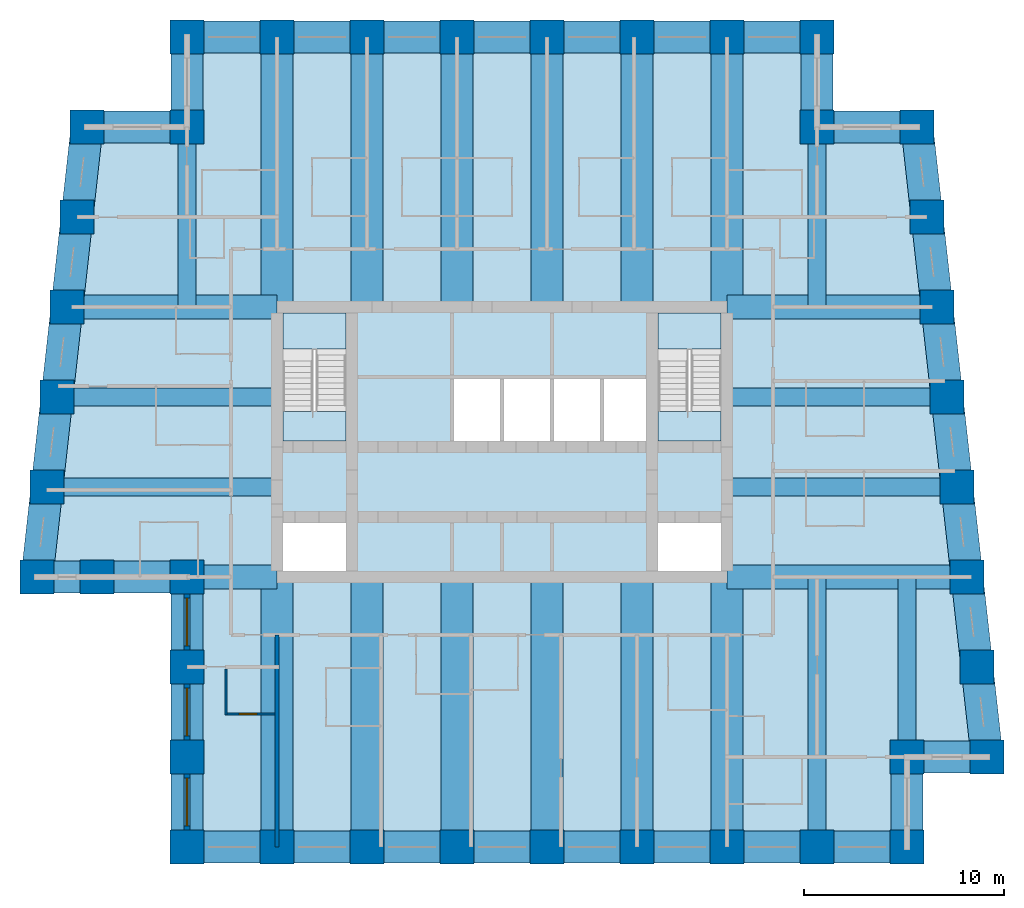
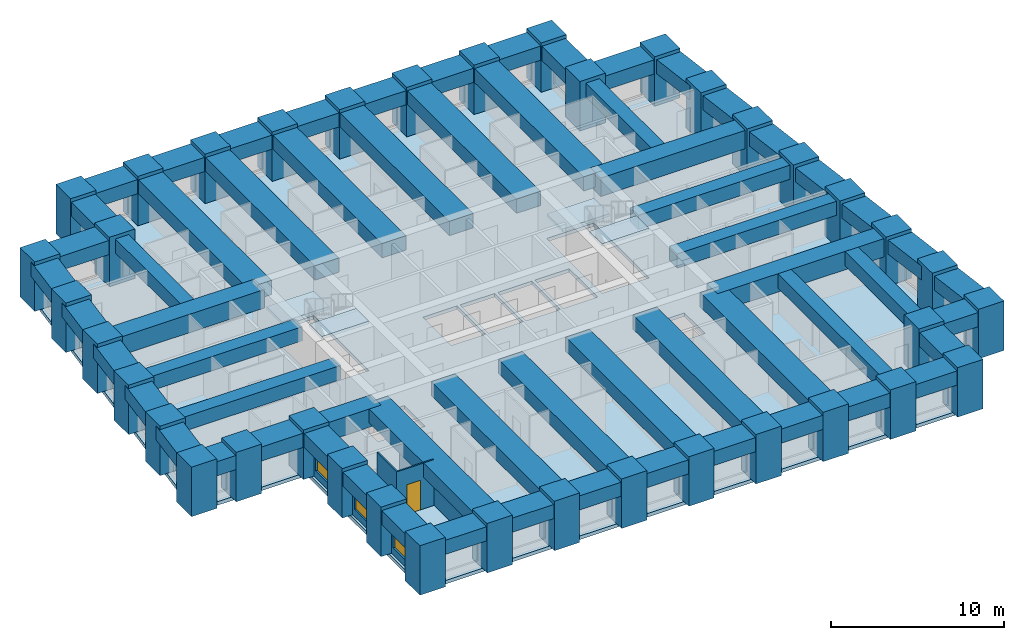
# One storey, part 1 of 8: 62 beams, 38 columns, 5 slabs, 4 walls, 3 windows, 1 door, 4 openings, 2 elements without a shape of their own.
"""IFC4 building model written with IfcOpenShell, lengths in metres."""

from ifc_helpers import new_model, si_unit, direction, frame, frame_2d, origin, origin_2d, place, context, subcontext, project, spatial, polyline, rectangle, outline, extrude, material, layer, layer_set, material_profile, profile_set, type_object, element, fill, aggregate, save


model = new_model("IFC4")

# Units and contexts
model_context = context("Model", 3, precision=1e-05, world=origin(), true_north=direction((0.0, 1.0)))
body_context = subcontext(model_context, "Body", "Model", "MODEL_VIEW")
ifc_project = project(units=[si_unit("LENGTHUNIT", "METRE"), si_unit("AREAUNIT", "SQUARE_METRE"), si_unit("VOLUMEUNIT", "CUBIC_METRE"), si_unit("PLANEANGLEUNIT", "RADIAN"), si_unit("MASSUNIT", "GRAM", prefix="KILO")], contexts=[model_context])

# Site, building, storey
site_placement = place(None, origin())
site = spatial("IfcSite", under=ifc_project, at=site_placement, CompositionType="ELEMENT")
building_placement = place(site_placement, origin())
building = spatial("IfcBuilding", under=site, at=building_placement, Name="Kilele Tower Hotel", CompositionType="ELEMENT")
storey_placement = place(building_placement, frame((0.0, 0.0, 186.89990234375)))
storey = spatial("IfcBuildingStorey", under=building, at=storey_placement, Name="L48", CompositionType="ELEMENT", Elevation=186.89990234375)

# Columns
ifc_material_1 = material(Name="Concrete C60/75", Category="concrete")
ifc_material_profile_1 = material_profile(ifc_material_1, rectangle(XDim=1.699951171875, YDim=1.699951171875, at=origin_2d()))
ifc_profile_set_1 = profile_set([ifc_material_profile_1], Name="Concrete C60/75")
column_type = type_object("IfcColumnType", Name="Tube column RC 1700x1700 C60/75", PredefinedType="COLUMN", material=ifc_profile_set_1)
for number, where, z_axis, x_axis, name in (
    (1, (1.5, 13.5, 0.0), (0.0, 0.0, 1.0), (1.0, 0.0, 0.0), "Column TC4 L48"),
    (2, (4.5, 13.5, 0.0), (0.0, 0.0, 1.0), (1.0, 0.0, 0.0), "Column TC4 L48"),
    (3, (9.0, 13.5, 0.0), (0.0, 0.0, 1.0), (1.0, 0.0, 0.0), "Column TC4 L48"),
    (4, (9.0, 9.0, 0.0), (0.0, 0.0, 1.0), (1.0, 0.0, 0.0), "Column TC4 L48"),
    (5, (9.0, 4.5, 0.0), (0.0, 0.0, 1.0), (1.0, 0.0, 0.0), "Column TC4 L48"),
    (6, (9.0, 0.0, 0.0), (0.0, 0.0, 1.0), (1.0, 0.0, 0.0), "Column TC4 L48"),
    (7, (13.5, 0.0, 0.0), (0.0, 0.0, 1.0), (1.0, 0.0, 0.0), "Column TC4 L48"),
    (8, (18.0, 0.0, 0.0), (0.0, 0.0, 1.0), (1.0, 0.0, 0.0), "Column TC4 L48"),
    (9, (22.5, 0.0, 0.0), (0.0, 0.0, 1.0), (1.0, 0.0, 0.0), "Column TC4 L48"),
    (10, (27.0, 0.0, 0.0), (0.0, 0.0, 1.0), (1.0, 0.0, 0.0), "Column TC4 L48"),
    (11, (31.5, 0.0, 0.0), (0.0, 0.0, 1.0), (1.0, 0.0, 0.0), "Column TC4 L48"),
    (12, (36.0, 0.0, 0.0), (0.0, 0.0, 1.0), (1.0, 0.0, 0.0), "Column TC4 L48"),
    (13, (40.5, 0.0, 0.0), (0.0, 0.0, 1.0), (1.0, 0.0, 0.0), "Column TC4 L48"),
    (14, (45.0, 0.0, 0.0), (0.0, 0.0, 1.0), (1.0, 0.0, 0.0), "Column TC4 L48"),
    (15, (45.0, 4.5, 0.0), (0.0, 0.0, 1.0), (1.0, 0.0, 0.0), "Column TC4 L48"),
    (16, (49.0, 4.5, 0.0), (0.0, 0.0, 1.0), (1.0, 0.0, 0.0), "Column TC4 L48"),
    (17, (48.5, 9.0, 0.0), (0.0, 0.0, 1.0), (1.0, 0.0, 0.0), "Column TC4 L48"),
    (18, (48.0, 13.5, 0.0), (0.0, 0.0, 1.0), (1.0, 0.0, 0.0), "Column TC4 L48"),
    (19, (47.5, 18.0, 0.0), (0.0, 0.0, 1.0), (1.0, 0.0, 0.0), "Column TC4 L48"),
    (20, (47.0, 22.5, 0.0), (0.0, 0.0, 1.0), (1.0, 0.0, 0.0), "Column TC4 L48"),
    (21, (46.5, 27.0, 0.0), (0.0, 0.0, 1.0), (1.0, 0.0, 0.0), "Column TC4 L48"),
    (22, (46.0, 31.5, 0.0), (0.0, 0.0, 1.0), (1.0, 0.0, 0.0), "Column TC4 L48"),
    (23, (45.5, 36.0, 0.0), (0.0, 0.0, 1.0), (1.0, 0.0, 0.0), "Column TC4 L48"),
    (24, (40.5, 36.0, 0.0), (0.0, 0.0, 1.0), (1.0, 0.0, 0.0), "Column TC4 L48"),
    (25, (40.5, 40.5, 0.0), (0.0, 0.0, 1.0), (1.0, 0.0, 0.0), "Column TC4 L48"),
    (26, (36.0, 40.5, 0.0), (0.0, 0.0, 1.0), (1.0, 0.0, 0.0), "Column TC4 L48"),
    (27, (31.5, 40.5, 0.0), (0.0, 0.0, 1.0), (1.0, 0.0, 0.0), "Column TC4 L48"),
    (28, (27.0, 40.5, 0.0), (0.0, 0.0, 1.0), (1.0, 0.0, 0.0), "Column TC4 L48"),
    (29, (22.5, 40.5, 0.0), (0.0, 0.0, 1.0), (1.0, 0.0, 0.0), "Column TC4 L48"),
    (30, (18.0, 40.5, 0.0), (0.0, 0.0, 1.0), (1.0, 0.0, 0.0), "Column TC4 L48"),
    (31, (13.5, 40.5, 0.0), (0.0, 0.0, 1.0), (1.0, 0.0, 0.0), "Column TC4 L48"),
    (32, (9.0, 40.5, 0.0), (0.0, 0.0, 1.0), (1.0, 0.0, 0.0), "Column TC4 L48"),
    (33, (9.0, 36.0, 0.0), (0.0, 0.0, 1.0), (1.0, 0.0, 0.0), "Column TC4 L48"),
    (34, (4.0, 36.0, 0.0), (0.0, 0.0, 1.0), (1.0, 0.0, 0.0), "Column TC4 L48"),
    (35, (3.5, 31.5, 0.0), (0.0, 0.0, 1.0), (1.0, 0.0, 0.0), "Column TC4 L48"),
    (36, (3.0, 27.0, 0.0), (0.0, 0.0, 1.0), (1.0, 0.0, 0.0), "Column TC4 L48"),
    (37, (2.5, 22.5, 0.0), (0.0, 0.0, 1.0), (1.0, 0.0, 0.0), "Column TC4 L48"),
    (38, (2.0, 18.0, 0.0), (0.0, 0.0, 1.0), (1.0, 0.0, 0.0), "Column TC4 L48"),
):
    element("IfcColumn", number, at=place(storey_placement, frame(where, z_axis=z_axis, x_axis=x_axis)), inside=storey, type_object=column_type, Name=name, PredefinedType="COLUMN", context=body_context, shape_type="SweptSolid", body=[
        extrude(rectangle(XDim=1.699951171875, YDim=1.699951171875, at=origin_2d()), origin(), (0.0, 0.0, 1.0), 3.5),
    ])

# Beams
ifc_material_2 = material(Name="Concrete C60/75", Category="concrete")
ifc_material_profile_2 = material_profile(ifc_material_2, rectangle(XDim=1.60009765625, YDim=1.0, at=origin_2d()))
ifc_profile_set_2 = profile_set([ifc_material_profile_2], Name="Concrete C60/75")
beam_type_1 = type_object("IfcBeamType", Name="Beam RC 1600x1000 C60/75", PredefinedType="BEAM", material=ifc_profile_set_2)
for number, where, z_axis, x_axis, name in (
    (39, (13.5, 0.0, 2.75), (0.0, 1.0, 0.0), (-1.0, 0.0, 0.0), "Beam BC1 level L49"),
    (40, (18.0, 0.0, 2.75), (0.0, 1.0, 0.0), (-1.0, 0.0, 0.0), "Beam BC1 level L49"),
    (41, (22.5, 0.0, 2.75), (0.0, 1.0, 0.0), (-1.0, 0.0, 0.0), "Beam BC1 level L49"),
    (42, (27.0, 0.0, 2.75), (0.0, 1.0, 0.0), (-1.0, 0.0, 0.0), "Beam BC1 level L49"),
    (43, (31.5, 0.0, 2.75), (0.0, 1.0, 0.0), (-1.0, 0.0, 0.0), "Beam BC1 level L49"),
    (44, (36.0, 0.0, 2.75), (0.0, 1.0, 0.0), (-1.0, 0.0, 0.0), "Beam BC1 level L49"),
    (45, (36.0, 40.5, 2.75), (0.0, -1.0, 0.0), (1.0, 0.0, 0.0), "Beam BC1 level L49"),
    (46, (31.5, 40.5, 2.75), (0.0, -1.0, 0.0), (1.0, 0.0, 0.0), "Beam BC1 level L49"),
    (47, (27.0, 40.5, 2.75), (0.0, -1.0, 0.0), (1.0, 0.0, 0.0), "Beam BC1 level L49"),
    (48, (22.5, 40.5, 2.75), (0.0, -1.0, 0.0), (1.0, 0.0, 0.0), "Beam BC1 level L49"),
    (49, (18.0, 40.5, 2.75), (0.0, -1.0, 0.0), (1.0, 0.0, 0.0), "Beam BC1 level L49"),
    (50, (13.5, 40.5, 2.75), (0.0, -1.0, 0.0), (1.0, 0.0, 0.0), "Beam BC1 level L49"),
):
    element("IfcBeam", number, at=place(storey_placement, frame(where, z_axis=z_axis, x_axis=x_axis)), inside=storey, type_object=beam_type_1, Name=name, PredefinedType="BEAM", context=body_context, shape_type="SweptSolid", body=[
        extrude(rectangle(XDim=1.60009765625, YDim=1.0, at=origin_2d()), origin(), (0.0, 0.0, 1.0), 13.5),
    ])
ifc_material_3 = material(Name="Concrete C60/75", Category="concrete")
ifc_material_profile_3 = material_profile(ifc_material_3, rectangle(XDim=0.89990234375, YDim=1.0, at=origin_2d()))
ifc_profile_set_3 = profile_set([ifc_material_profile_3], Name="Concrete C60/75")
beam_type_2 = type_object("IfcBeamType", Name="Beam RC 900x1000 C60/75", PredefinedType="BEAM", material=ifc_profile_set_3)
beam_1_placement = place(storey_placement, frame((40.5, 0.0, 2.75), z_axis=(0.0, 1.0, 0.0), x_axis=(-1.0, 0.0, 0.0)))
element("IfcBeam", 51, at=beam_1_placement, inside=storey, type_object=beam_type_2, Name="Beam B8 level L49", PredefinedType="BEAM", context=body_context, shape_type="SweptSolid", body=[
    extrude(rectangle(XDim=0.89990234375, YDim=1.0, at=origin_2d()), origin(), (0.0, 0.0, 1.0), 13.5),
])
beam_2_placement = place(storey_placement, frame((45.0, 4.5, 2.75), z_axis=(0.0, 1.0, 0.0), x_axis=(-1.0, 0.0, 0.0)))
element("IfcBeam", 52, at=beam_2_placement, inside=storey, type_object=beam_type_2, Name="Beam B8 level L49", PredefinedType="BEAM", context=body_context, shape_type="SweptSolid", body=[
    extrude(rectangle(XDim=0.89990234375, YDim=1.0, at=origin_2d()), origin(), (0.0, 0.0, 1.0), 9.0),
])
beam_3_placement = place(storey_placement, frame((47.5, 18.0, 2.75), z_axis=(-1.0, 0.0, 0.0), x_axis=(0.0, -1.0, 0.0)))
element("IfcBeam", 53, at=beam_3_placement, inside=storey, type_object=beam_type_2, Name="Beam B8 level L49", PredefinedType="BEAM", context=body_context, shape_type="SweptSolid", body=[
    extrude(rectangle(XDim=0.89990234375, YDim=1.0, at=origin_2d()), origin(), (0.0, 0.0, 1.0), 11.5),
])
beam_4_placement = place(storey_placement, frame((47.0, 22.5, 2.75), z_axis=(-1.0, 0.0, 0.0), x_axis=(0.0, -1.0, 0.0)))
element("IfcBeam", 54, at=beam_4_placement, inside=storey, type_object=beam_type_2, Name="Beam B8 level L49", PredefinedType="BEAM", context=body_context, shape_type="SweptSolid", body=[
    extrude(rectangle(XDim=0.89990234375, YDim=1.0, at=origin_2d()), origin(), (0.0, 0.0, 1.0), 11.0),
])
for number, where, z_axis, x_axis, name in (
    (55, (40.5, 36.0, 2.75), (0.0, -1.0, 0.0), (1.0, 0.0, 0.0), "Beam B8 level L49"),
    (56, (9.0, 36.0, 2.75), (0.0, -1.0, 0.0), (1.0, 0.0, 0.0), "Beam B8 level L49"),
):
    element("IfcBeam", number, at=place(storey_placement, frame(where, z_axis=z_axis, x_axis=x_axis)), inside=storey, type_object=beam_type_2, Name=name, PredefinedType="BEAM", context=body_context, shape_type="SweptSolid", body=[
        extrude(rectangle(XDim=0.89990234375, YDim=1.0, at=origin_2d()), origin(), (0.0, 0.0, 1.0), 9.0),
    ])
beam_5_placement = place(storey_placement, frame((2.5, 22.5, 2.75), z_axis=(1.0, 0.0, 0.0), x_axis=(0.0, 1.0, 0.0)))
element("IfcBeam", 57, at=beam_5_placement, inside=storey, type_object=beam_type_2, Name="Beam B8 level L49", PredefinedType="BEAM", context=body_context, shape_type="SweptSolid", body=[
    extrude(rectangle(XDim=0.89990234375, YDim=1.0, at=origin_2d()), origin(), (0.0, 0.0, 1.0), 11.0),
])
beam_6_placement = place(storey_placement, frame((2.0, 18.0, 2.75), z_axis=(1.0, 0.0, 0.0), x_axis=(0.0, 1.0, 0.0)))
element("IfcBeam", 58, at=beam_6_placement, inside=storey, type_object=beam_type_2, Name="Beam B8 level L49", PredefinedType="BEAM", context=body_context, shape_type="SweptSolid", body=[
    extrude(rectangle(XDim=0.89990234375, YDim=1.0, at=origin_2d()), origin(), (0.0, 0.0, 1.0), 11.5),
])
ifc_material_4 = material(Name="Concrete C60/75", Category="concrete")
ifc_material_profile_4 = material_profile(ifc_material_4, rectangle(XDim=1.199951171875, YDim=1.300048828125, at=origin_2d()))
ifc_profile_set_4 = profile_set([ifc_material_profile_4], Name="Concrete C60/75")
beam_type_3 = type_object("IfcBeamType", Name="Girder RC 1200x1300 C60/75", PredefinedType="BEAM", material=ifc_profile_set_4)
beam_7_placement = place(storey_placement, frame((48.0, 13.5, 2.60009765625), z_axis=(-1.0, 0.0, 0.0), x_axis=(0.0, -1.0, 0.0)))
element("IfcBeam", 59, at=beam_7_placement, inside=storey, type_object=beam_type_3, Name="Girder G1 level L49", PredefinedType="BEAM", context=body_context, shape_type="SweptSolid", body=[
    extrude(rectangle(XDim=1.199951171875, YDim=1.300048828125, at=origin_2d()), origin(), (0.0, 0.0, 1.0), 12.0),
])
ifc_material_5 = material(Name="Concrete C60/75", Category="concrete")
ifc_material_profile_5 = material_profile(ifc_material_5, rectangle(XDim=1.199951171875, YDim=1.300048828125, at=origin_2d()))
ifc_profile_set_5 = profile_set([ifc_material_profile_5], Name="Concrete C60/75")
beam_type_4 = type_object("IfcBeamType", Name="Girder RC 1200x1300 C60/75 mid span", PredefinedType="BEAM", material=ifc_profile_set_5)
for number, where, z_axis, x_axis, name in (
    (60, (46.5, 27.0, 2.60009765625), (-1.0, 0.0, 0.0), (0.0, -1.0, 0.0), "Girder G3 level L49"),
    (61, (3.0, 27.0, 2.60009765625), (1.0, 0.0, 0.0), (0.0, 1.0, 0.0), "Girder G3 level L49"),
):
    element("IfcBeam", number, at=place(storey_placement, frame(where, z_axis=z_axis, x_axis=x_axis)), inside=storey, type_object=beam_type_4, Name=name, PredefinedType="BEAM", context=body_context, shape_type="SweptSolid", body=[
        extrude(rectangle(XDim=1.199951171875, YDim=1.300048828125, at=origin_2d()), origin(), (0.0, 0.0, 1.0), 10.5),
    ])
ifc_material_6 = material(Name="Concrete C60/75", Category="concrete")
ifc_material_profile_6 = material_profile(ifc_material_6, rectangle(XDim=1.199951171875, YDim=1.300048828125, at=origin_2d()))
ifc_profile_set_6 = profile_set([ifc_material_profile_6], Name="Concrete C60/75")
beam_type_5 = type_object("IfcBeamType", Name="Girder RC 1200x1300 C60/75 short span", PredefinedType="BEAM", material=ifc_profile_set_6)
beam_8_placement = place(storey_placement, frame((9.0, 13.5, 2.60009765625), z_axis=(1.0, 0.0, 0.0), x_axis=(0.0, 1.0, 0.0)))
element("IfcBeam", 62, at=beam_8_placement, inside=storey, type_object=beam_type_5, Name="Girder G5 level L49", PredefinedType="BEAM", context=body_context, shape_type="SweptSolid", body=[
    extrude(rectangle(XDim=1.199951171875, YDim=1.300048828125, at=origin_2d()), origin(), (0.0, 0.0, 1.0), 4.5),
])
ifc_material_7 = material(Name="Concrete C60/75", Category="concrete")
ifc_material_profile_7 = material_profile(ifc_material_7, rectangle(XDim=1.60009765625, YDim=1.0, at=origin_2d()))
ifc_profile_set_7 = profile_set([ifc_material_profile_7], Name="Concrete C60/75")
beam_type_6 = type_object("IfcBeamType", Name="Spandrel RC 1600x1000 C60/75", PredefinedType="SPANDREL", material=ifc_profile_set_7)
beam_9_placement = place(storey_placement, frame((1.5, 13.5, 2.75), z_axis=(1.0, 0.0, 0.0), x_axis=(0.0, 1.0, 0.0)))
element("IfcBeam", 63, at=beam_9_placement, inside=storey, type_object=beam_type_6, Name="Spandrel SP2 level L49", PredefinedType="SPANDREL", context=body_context, shape_type="SweptSolid", body=[
    extrude(rectangle(XDim=1.60009765625, YDim=1.0, at=origin_2d()), origin(), (0.0, 0.0, 1.0), 3.0),
])
for number, where, z_axis, x_axis, name in (
    (64, (4.5, 13.5, 2.75), (1.0, 0.0, 0.0), (0.0, 1.0, 0.0), "Spandrel SP2 level L49"),
    (65, (9.0, 13.5, 2.75), (0.0, -1.0, 0.0), (1.0, 0.0, 0.0), "Spandrel SP2 level L49"),
    (66, (9.0, 9.0, 2.75), (0.0, -1.0, 0.0), (1.0, 0.0, 0.0), "Spandrel SP2 level L49"),
    (67, (9.0, 4.5, 2.75), (0.0, -1.0, 0.0), (1.0, 0.0, 0.0), "Spandrel SP2 level L49"),
    (68, (9.0, 0.0, 2.75), (1.0, 0.0, 0.0), (0.0, 1.0, 0.0), "Spandrel SP2 level L49"),
    (69, (13.5, 0.0, 2.75), (1.0, 0.0, 0.0), (0.0, 1.0, 0.0), "Spandrel SP2 level L49"),
    (70, (18.0, 0.0, 2.75), (1.0, 0.0, 0.0), (0.0, 1.0, 0.0), "Spandrel SP2 level L49"),
    (71, (22.5, 0.0, 2.75), (1.0, 0.0, 0.0), (0.0, 1.0, 0.0), "Spandrel SP2 level L49"),
    (72, (27.0, 0.0, 2.75), (1.0, 0.0, 0.0), (0.0, 1.0, 0.0), "Spandrel SP2 level L49"),
    (73, (31.5, 0.0, 2.75), (1.0, 0.0, 0.0), (0.0, 1.0, 0.0), "Spandrel SP2 level L49"),
    (74, (36.0, 0.0, 2.75), (1.0, 0.0, 0.0), (0.0, 1.0, 0.0), "Spandrel SP2 level L49"),
    (75, (40.5, 0.0, 2.75), (1.0, 0.0, 0.0), (0.0, 1.0, 0.0), "Spandrel SP2 level L49"),
    (76, (45.0, 0.0, 2.75), (0.0, 1.0, 0.0), (-1.0, 0.0, 0.0), "Spandrel SP2 level L49"),
):
    element("IfcBeam", number, at=place(storey_placement, frame(where, z_axis=z_axis, x_axis=x_axis)), inside=storey, type_object=beam_type_6, Name=name, PredefinedType="SPANDREL", context=body_context, shape_type="SweptSolid", body=[
        extrude(rectangle(XDim=1.60009765625, YDim=1.0, at=origin_2d()), origin(), (0.0, 0.0, 1.0), 4.5),
    ])
beam_10_placement = place(storey_placement, frame((45.0, 4.5, 2.75), z_axis=(1.0, 0.0, 0.0), x_axis=(0.0, 1.0, 0.0)))
element("IfcBeam", 77, at=beam_10_placement, inside=storey, type_object=beam_type_6, Name="Spandrel SP2 level L49", PredefinedType="SPANDREL", context=body_context, shape_type="SweptSolid", body=[
    extrude(rectangle(XDim=1.60009765625, YDim=1.0, at=origin_2d()), origin(), (0.0, 0.0, 1.0), 4.0),
])
for number, where, z_axis, x_axis, name in (
    (78, (49.0, 4.5, 2.75), (-0.110431526075, 0.993883734674, 0.0), (-0.993883734674, -0.110431526075, 0.0), "Spandrel SP2 level L49"),
    (79, (48.5, 9.0, 2.75), (-0.110431526075, 0.993883734674, 0.0), (-0.993883734674, -0.110431526075, 0.0), "Spandrel SP2 level L49"),
    (80, (48.0, 13.5, 2.75), (-0.110431526075, 0.993883734674, 0.0), (-0.993883734674, -0.110431526075, 0.0), "Spandrel SP2 level L49"),
    (81, (47.5, 18.0, 2.75), (-0.110431526075, 0.993883734674, 0.0), (-0.993883734674, -0.110431526075, 0.0), "Spandrel SP2 level L49"),
    (82, (47.0, 22.5, 2.75), (-0.110431526075, 0.993883734674, 0.0), (-0.993883734674, -0.110431526075, 0.0), "Spandrel SP2 level L49"),
    (83, (46.5, 27.0, 2.75), (-0.110431526075, 0.993883734674, 0.0), (-0.993883734674, -0.110431526075, 0.0), "Spandrel SP2 level L49"),
    (84, (46.0, 31.5, 2.75), (-0.110431526075, 0.993883734674, 0.0), (-0.993883734674, -0.110431526075, 0.0), "Spandrel SP2 level L49"),
):
    element("IfcBeam", number, at=place(storey_placement, frame(where, z_axis=z_axis, x_axis=x_axis)), inside=storey, type_object=beam_type_6, Name=name, PredefinedType="SPANDREL", context=body_context, shape_type="SweptSolid", body=[
        extrude(rectangle(XDim=1.60009765625, YDim=1.0, at=origin_2d()), origin(), (0.0, 0.0, 1.0), 4.527587890625),
    ])
beam_11_placement = place(storey_placement, frame((45.5, 36.0, 2.75), z_axis=(-1.0, 0.0, 0.0), x_axis=(0.0, -1.0, 0.0)))
element("IfcBeam", 85, at=beam_11_placement, inside=storey, type_object=beam_type_6, Name="Spandrel SP2 level L49", PredefinedType="SPANDREL", context=body_context, shape_type="SweptSolid", body=[
    extrude(rectangle(XDim=1.60009765625, YDim=1.0, at=origin_2d()), origin(), (0.0, 0.0, 1.0), 5.0),
])
for number, where, z_axis, x_axis, name in (
    (86, (40.5, 36.0, 2.75), (0.0, 1.0, 0.0), (-1.0, 0.0, 0.0), "Spandrel SP2 level L49"),
    (87, (40.5, 40.5, 2.75), (-1.0, 0.0, 0.0), (0.0, -1.0, 0.0), "Spandrel SP2 level L49"),
    (88, (36.0, 40.5, 2.75), (-1.0, 0.0, 0.0), (0.0, -1.0, 0.0), "Spandrel SP2 level L49"),
    (89, (31.5, 40.5, 2.75), (-1.0, 0.0, 0.0), (0.0, -1.0, 0.0), "Spandrel SP2 level L49"),
    (90, (27.0, 40.5, 2.75), (-1.0, 0.0, 0.0), (0.0, -1.0, 0.0), "Spandrel SP2 level L49"),
    (91, (22.5, 40.5, 2.75), (-1.0, 0.0, 0.0), (0.0, -1.0, 0.0), "Spandrel SP2 level L49"),
    (92, (18.0, 40.5, 2.75), (-1.0, 0.0, 0.0), (0.0, -1.0, 0.0), "Spandrel SP2 level L49"),
    (93, (13.5, 40.5, 2.75), (-1.0, 0.0, 0.0), (0.0, -1.0, 0.0), "Spandrel SP2 level L49"),
    (94, (9.0, 40.5, 2.75), (0.0, -1.0, 0.0), (1.0, 0.0, 0.0), "Spandrel SP2 level L49"),
):
    element("IfcBeam", number, at=place(storey_placement, frame(where, z_axis=z_axis, x_axis=x_axis)), inside=storey, type_object=beam_type_6, Name=name, PredefinedType="SPANDREL", context=body_context, shape_type="SweptSolid", body=[
        extrude(rectangle(XDim=1.60009765625, YDim=1.0, at=origin_2d()), origin(), (0.0, 0.0, 1.0), 4.5),
    ])
beam_12_placement = place(storey_placement, frame((9.0, 36.0, 2.75), z_axis=(-1.0, 0.0, 0.0), x_axis=(0.0, -1.0, 0.0)))
element("IfcBeam", 95, at=beam_12_placement, inside=storey, type_object=beam_type_6, Name="Spandrel SP2 level L49", PredefinedType="SPANDREL", context=body_context, shape_type="SweptSolid", body=[
    extrude(rectangle(XDim=1.60009765625, YDim=1.0, at=origin_2d()), origin(), (0.0, 0.0, 1.0), 5.0),
])
for number, where, z_axis, x_axis, name in (
    (96, (4.0, 36.0, 2.75), (-0.110431526075, -0.993883734674, 0.0), (0.993883734674, -0.110431526075, 0.0), "Spandrel SP2 level L49"),
    (97, (3.5, 31.5, 2.75), (-0.110431526075, -0.993883734674, 0.0), (0.993883734674, -0.110431526075, 0.0), "Spandrel SP2 level L49"),
    (98, (3.0, 27.0, 2.75), (-0.110431526075, -0.993883734674, 0.0), (0.993883734674, -0.110431526075, 0.0), "Spandrel SP2 level L49"),
    (99, (2.5, 22.5, 2.75), (-0.110431526075, -0.993883734674, 0.0), (0.993883734674, -0.110431526075, 0.0), "Spandrel SP2 level L49"),
    (100, (2.0, 18.0, 2.75), (-0.110431526075, -0.993883734674, 0.0), (0.993883734674, -0.110431526075, 0.0), "Spandrel SP2 level L49"),
):
    element("IfcBeam", number, at=place(storey_placement, frame(where, z_axis=z_axis, x_axis=x_axis)), inside=storey, type_object=beam_type_6, Name=name, PredefinedType="SPANDREL", context=body_context, shape_type="SweptSolid", body=[
        extrude(rectangle(XDim=1.60009765625, YDim=1.0, at=origin_2d()), origin(), (0.0, 0.0, 1.0), 4.527587890625),
    ])

# Slab
ifc_material_8 = material(Name="Concrete C60/75", Category="concrete")
ifc_layer_1 = layer(ifc_material_8, 0.25)
ifc_layer_set_1 = layer_set([ifc_layer_1], Name="Concrete C60/75")
slab_type_1 = type_object("IfcSlabType", Name="Floor slab 250", PredefinedType="FLOOR", material=ifc_layer_set_1)
slab_1_placement = place(storey_placement, frame((0.0, 0.0, -0.25)))
element("IfcSlab", 101, at=slab_1_placement, inside=storey, type_object=slab_type_1, Name="Floor slab L48", PredefinedType="FLOOR", context=body_context, shape_type="SweptSolid", body=[
    extrude(outline(polyline([(8.699951171875, 36.300048828125), (8.699951171875, 40.800048828125), (40.800048828125, 40.800048828125), (40.800048828125, 36.300048828125), (45.7685546875, 36.300048828125), (49.335205078125, 4.199951171875), (45.300048828125, 4.199951171875), (45.300048828125, -0.300048828125), (8.699951171875, -0.300048828125), (8.699951171875, 13.199951171875), (1.164794921875, 13.199951171875), (3.7314453125, 36.300048828125), (8.699951171875, 36.300048828125)]), holes=[polyline([(16.949951171875, 16.199951171875), (13.800048828125, 16.199951171875), (13.800048828125, 13.800048828125), (16.949951171875, 13.800048828125), (16.949951171875, 16.199951171875)]), polyline([(35.699951171875, 16.199951171875), (32.550048828125, 16.199951171875), (32.550048828125, 13.800048828125), (35.699951171875, 13.800048828125), (35.699951171875, 16.199951171875)]), polyline([(24.64990234375, 23.39990234375), (22.35009765625, 23.39990234375), (22.35009765625, 20.10009765625), (24.64990234375, 20.10009765625), (24.64990234375, 23.39990234375)]), polyline([(27.14990234375, 23.39990234375), (24.85009765625, 23.39990234375), (24.85009765625, 20.10009765625), (27.14990234375, 20.10009765625), (27.14990234375, 23.39990234375)]), polyline([(29.64990234375, 23.39990234375), (27.35009765625, 23.39990234375), (27.35009765625, 20.10009765625), (29.64990234375, 20.10009765625), (29.64990234375, 23.39990234375)]), polyline([(32.14990234375, 23.39990234375), (29.85009765625, 23.39990234375), (29.85009765625, 20.10009765625), (32.14990234375, 20.10009765625), (32.14990234375, 23.39990234375)]), polyline([(16.949951171875, 26.699951171875), (13.800048828125, 26.699951171875), (13.800048828125, 20.300048828125), (16.949951171875, 20.300048828125), (16.949951171875, 26.699951171875)]), polyline([(35.699951171875, 26.699951171875), (32.550048828125, 26.699951171875), (32.550048828125, 20.300048828125), (35.699951171875, 20.300048828125), (35.699951171875, 26.699951171875)])]), origin(), (0.0, 0.0, 1.0), 0.25),
])

# Stair, slabs
ifc_material_9 = material(Name="Precast concrete C40/50", Category="concrete")
stair_type = type_object("IfcStairType", Name="Stair 1475 x 3500", PredefinedType="HALF_TURN_STAIR", material=ifc_material_9)
stair_1_placement = place(storey_placement, origin())
stair_1 = element("IfcStair", 102, at=stair_1_placement, inside=storey, type_object=stair_type, Name="Stair 1 L48", PredefinedType="HALF_TURN_STAIR")
ifc_material_10 = material(Name="Precast concrete C40/50", Category="concrete")
ifc_layer_2 = layer(ifc_material_10, 0.199951171875)
ifc_layer_set_2 = layer_set([ifc_layer_2], Name="Precast concrete C40/50")
slab_type_2 = type_object("IfcSlabType", Name="Stair landing 200", PredefinedType="LANDING", material=ifc_layer_set_2)
slab_2_placement = place(storey_placement, frame((0.0, 0.0, 1.550048828125)))
slab_2 = element("IfcSlab", 103, at=slab_2_placement, type_object=slab_type_2, Name="ST1 landing 1", PredefinedType="LANDING", context=body_context, shape_type="SweptSolid", body=[
    extrude(outline(polyline([(13.800048828125, 24.89501953125), (16.949951171875, 24.89501953125), (16.949951171875, 26.699951171875), (13.800048828125, 26.699951171875), (13.800048828125, 24.89501953125)])), origin(), (0.0, 0.0, 1.0), 0.199951171875),
])
slab_3_placement = place(storey_placement, frame((0.0, 0.0, 3.300048828125)))
slab_3 = element("IfcSlab", 104, at=slab_3_placement, type_object=slab_type_2, Name="ST1 landing 2", PredefinedType="LANDING", context=body_context, shape_type="SweptSolid", body=[
    extrude(outline(polyline([(13.800048828125, 20.300048828125), (16.949951171875, 20.300048828125), (16.949951171875, 21.77490234375), (13.800048828125, 21.77490234375), (13.800048828125, 20.300048828125)])), origin(), (0.0, 0.0, 1.0), 0.199951171875),
])
aggregate(stair_1, [slab_2, slab_3])

stair_2_placement = place(storey_placement, origin())
stair_2 = element("IfcStair", 105, at=stair_2_placement, inside=storey, type_object=stair_type, Name="Stair 2 L48", PredefinedType="HALF_TURN_STAIR")
slab_4_placement = place(storey_placement, frame((0.0, 0.0, 1.550048828125)))
slab_4 = element("IfcSlab", 106, at=slab_4_placement, type_object=slab_type_2, Name="ST2 landing 1", PredefinedType="LANDING", context=body_context, shape_type="SweptSolid", body=[
    extrude(outline(polyline([(32.550048828125, 24.89501953125), (35.699951171875, 24.89501953125), (35.699951171875, 26.699951171875), (32.550048828125, 26.699951171875), (32.550048828125, 24.89501953125)])), origin(), (0.0, 0.0, 1.0), 0.199951171875),
])
slab_5_placement = place(storey_placement, frame((0.0, 0.0, 3.300048828125)))
slab_5 = element("IfcSlab", 107, at=slab_5_placement, type_object=slab_type_2, Name="ST2 landing 2", PredefinedType="LANDING", context=body_context, shape_type="SweptSolid", body=[
    extrude(outline(polyline([(32.550048828125, 20.300048828125), (35.699951171875, 20.300048828125), (35.699951171875, 21.77490234375), (32.550048828125, 21.77490234375), (32.550048828125, 20.300048828125)])), origin(), (0.0, 0.0, 1.0), 0.199951171875),
])
aggregate(stair_2, [slab_4, slab_5])

# Wall
ifc_material_11 = material(Name="Moisture-resistant board")
ifc_layer_3 = layer(ifc_material_11, 0.10009765625)
ifc_layer_set_3 = layer_set([ifc_layer_3], Name="Moisture-resistant board")
wall_type_1 = type_object("IfcWallType", Name="Bathroom partition 100", PredefinedType="PLUMBINGWALL", material=ifc_layer_set_3)
wall_1_placement = place(storey_placement, frame((10.949951171875, 8.89990234375, 0.0), z_axis=(0.0, 0.0, 1.0), x_axis=(0.0, -1.0, 0.0)))
element("IfcWall", 108, at=wall_1_placement, inside=storey, type_object=wall_type_1, Name="Bathroom partition 100 L48", PredefinedType="PLUMBINGWALL", context=body_context, shape_type="SweptSolid", body=[
    extrude(rectangle(XDim=2.2998046875, YDim=0.10009765625, at=frame_2d((1.14990234375, 0.0))), origin(), (0.0, 0.0, 1.0), 3.25),
])

# Wall, opening, door
wall_2_placement = place(storey_placement, frame((13.39990234375, 6.64990234375, 0.0), z_axis=(0.0, 0.0, 1.0), x_axis=(-1.0, 0.0, 0.0)))
wall_2 = element("IfcWall", 109, at=wall_2_placement, inside=storey, type_object=wall_type_1, Name="Bathroom partition 100 L48", PredefinedType="PLUMBINGWALL", context=body_context, shape_type="SweptSolid", body=[
    extrude(rectangle(XDim=2.5, YDim=0.10009765625, at=frame_2d((1.25, 0.0))), origin(), (0.0, 0.0, 1.0), 3.25),
])
opening_1_placement = place(wall_2_placement, frame((0.89990234375, 0.0, 0.0)))
opening_1 = element("IfcOpeningElement", 110, at=opening_1_placement, cuts=wall_2, Name="Opening D2A", PredefinedType="OPENING", context=body_context, shape_type="SweptSolid", body=[
    extrude(rectangle(XDim=0.89990234375, YDim=2.10009765625, at=frame_2d((0.449951171875, 1.050048828125))), frame((0.0, 0.06005859375, 0.0), z_axis=(0.0, -1.0, 0.0), x_axis=(1.0, 0.0, 0.0)), (0.0, 0.0, 1.0), 0.1201171875),
])
ifc_material_12 = material(Name="Timber door leaf in hardwood frame", Category="wood")
door_type = type_object("IfcDoorType", Name="Bathroom door 900", OperationType="SINGLE_SWING_LEFT", PredefinedType="DOOR", material=ifc_material_12)
door_placement = place(opening_1_placement, origin())
door = element("IfcDoor", 111, at=door_placement, inside=storey, type_object=door_type, Name="Bathroom door 4818B", OperationType="SINGLE_SWING_LEFT", OverallHeight=2.10009765625, OverallWidth=0.89990234375, PredefinedType="DOOR", context=body_context, shape_type="SweptSolid", body=[
    extrude(rectangle(XDim=0.89990234375, YDim=2.10009765625, at=frame_2d((0.449951171875, 1.050048828125))), frame((0.0, 0.02490234375, 0.0), z_axis=(0.0, -1.0, 0.0), x_axis=(1.0, 0.0, 0.0)), (0.0, 0.0, 1.0), 0.050048828125),
])
fill(opening_1, door)

# Wall
ifc_material_13 = material(Name="Blockwork, plastered both sides", Category="masonry")
ifc_layer_4 = layer(ifc_material_13, 0.199951171875)
ifc_layer_set_4 = layer_set([ifc_layer_4], Name="Blockwork, plastered both sides")
wall_type_2 = type_object("IfcWallType", Name="Party wall 200", PredefinedType="PARTITIONING", material=ifc_layer_set_4)
wall_3_placement = place(storey_placement, frame((13.5, 10.60009765625, 0.0), z_axis=(0.0, 0.0, 1.0), x_axis=(0.0, -1.0, 0.0)))
element("IfcWall", 112, at=wall_3_placement, inside=storey, type_object=wall_type_2, Name="Party wall 200 L48", PredefinedType="PARTITIONING", context=body_context, shape_type="SweptSolid", body=[
    extrude(rectangle(XDim=10.60009765625, YDim=0.199951171875, at=frame_2d((5.300048828125, 0.0))), origin(), (0.0, 0.0, 1.0), 2.25),
])

# Wall, openings, windows
ifc_material_14 = material(Name="Concrete C40/50 precast", Category="concrete")
ifc_layer_5 = layer(ifc_material_14, 0.260009765625, Name="Precast backing", Category="LoadBearing")
ifc_material_15 = material(Name="Reconstituted stone finish", Category="masonry")
ifc_layer_6 = layer(ifc_material_15, 0.0400390625, Name="Face mix", Category="Finish")
ifc_layer_set_5 = layer_set([ifc_layer_5, ifc_layer_6], Name="Precast concrete C40/50, reconstituted stone finish")
wall_type_3 = type_object("IfcWallType", Name="Precast stone facade wall 300", PredefinedType="STANDARD", material=ifc_layer_set_5)
wall_4_placement = place(storey_placement, frame((9.0, 13.64990234375, 0.0), z_axis=(0.0, 0.0, 1.0), x_axis=(0.0, -1.0, 0.0)))
wall_4 = element("IfcWall", 113, at=wall_4_placement, inside=storey, type_object=wall_type_3, Name="Facade wall L48 edge 2", PredefinedType="STANDARD", context=body_context, shape_type="SweptSolid", body=[
    extrude(rectangle(XDim=13.7998046875, YDim=0.300048828125, at=frame_2d((6.89990234375, 0.0))), origin(), (0.0, 0.0, 1.0), 2.25),
])
opening_2_placement = place(wall_4_placement, frame((1.199951171875, 0.0, 0.5)))
opening_2 = element("IfcOpeningElement", 114, at=opening_2_placement, cuts=wall_4, Name="Opening W3", PredefinedType="OPENING", context=body_context, shape_type="SweptSolid", body=[
    extrude(rectangle(XDim=2.39990234375, YDim=1.60009765625, at=frame_2d((1.199951171875, 0.800048828125))), frame((0.0, 0.159912109375, 0.0), z_axis=(0.0, -1.0, 0.0), x_axis=(1.0, 0.0, 0.0)), (0.0, 0.0, 1.0), 0.320068359375),
])
opening_3_placement = place(wall_4_placement, frame((5.699951171875, 0.0, 0.5)))
opening_3 = element("IfcOpeningElement", 115, at=opening_3_placement, cuts=wall_4, Name="Opening W3", PredefinedType="OPENING", context=body_context, shape_type="SweptSolid", body=[
    extrude(rectangle(XDim=2.39990234375, YDim=1.60009765625, at=frame_2d((1.199951171875, 0.800048828125))), frame((0.0, 0.159912109375, 0.0), z_axis=(0.0, -1.0, 0.0), x_axis=(1.0, 0.0, 0.0)), (0.0, 0.0, 1.0), 0.320068359375),
])
opening_4_placement = place(wall_4_placement, frame((10.199951171875, 0.0, 0.5)))
opening_4 = element("IfcOpeningElement", 116, at=opening_4_placement, cuts=wall_4, Name="Opening W3", PredefinedType="OPENING", context=body_context, shape_type="SweptSolid", body=[
    extrude(rectangle(XDim=2.39990234375, YDim=1.60009765625, at=frame_2d((1.199951171875, 0.800048828125))), frame((0.0, 0.159912109375, 0.0), z_axis=(0.0, -1.0, 0.0), x_axis=(1.0, 0.0, 0.0)), (0.0, 0.0, 1.0), 0.320068359375),
])
ifc_material_16 = material(Name="Aluminium frame, clear double glazing", Category="aluminium")
window_type = type_object("IfcWindowType", Name="Window W3 2400 x 1600", PartitioningType="SINGLE_PANEL", PredefinedType="WINDOW", material=ifc_material_16)
window_1_placement = place(opening_2_placement, origin())
window_1 = element("IfcWindow", 117, at=window_1_placement, inside=storey, type_object=window_type, Name="Window L48", OverallHeight=1.60009765625, OverallWidth=2.39990234375, PartitioningType="SINGLE_PANEL", PredefinedType="WINDOW", context=body_context, shape_type="SweptSolid", body=[
    extrude(rectangle(XDim=2.39990234375, YDim=1.60009765625, at=frame_2d((1.199951171875, 0.800048828125))), frame((0.0, 0.030029296875, 0.0), z_axis=(0.0, -1.0, 0.0), x_axis=(1.0, 0.0, 0.0)), (0.0, 0.0, 1.0), 0.06005859375),
])
fill(opening_2, window_1)
window_2_placement = place(opening_3_placement, origin())
window_2 = element("IfcWindow", 118, at=window_2_placement, inside=storey, type_object=window_type, Name="Window L48", OverallHeight=1.60009765625, OverallWidth=2.39990234375, PartitioningType="SINGLE_PANEL", PredefinedType="WINDOW", context=body_context, shape_type="SweptSolid", body=[
    extrude(rectangle(XDim=2.39990234375, YDim=1.60009765625, at=frame_2d((1.199951171875, 0.800048828125))), frame((0.0, 0.030029296875, 0.0), z_axis=(0.0, -1.0, 0.0), x_axis=(1.0, 0.0, 0.0)), (0.0, 0.0, 1.0), 0.06005859375),
])
fill(opening_3, window_2)
window_3_placement = place(opening_4_placement, origin())
window_3 = element("IfcWindow", 119, at=window_3_placement, inside=storey, type_object=window_type, Name="Window L48", OverallHeight=1.60009765625, OverallWidth=2.39990234375, PartitioningType="SINGLE_PANEL", PredefinedType="WINDOW", context=body_context, shape_type="SweptSolid", body=[
    extrude(rectangle(XDim=2.39990234375, YDim=1.60009765625, at=frame_2d((1.199951171875, 0.800048828125))), frame((0.0, 0.030029296875, 0.0), z_axis=(0.0, -1.0, 0.0), x_axis=(1.0, 0.0, 0.0)), (0.0, 0.0, 1.0), 0.06005859375),
])
fill(opening_4, window_3)

save(model, "model.ifc")
